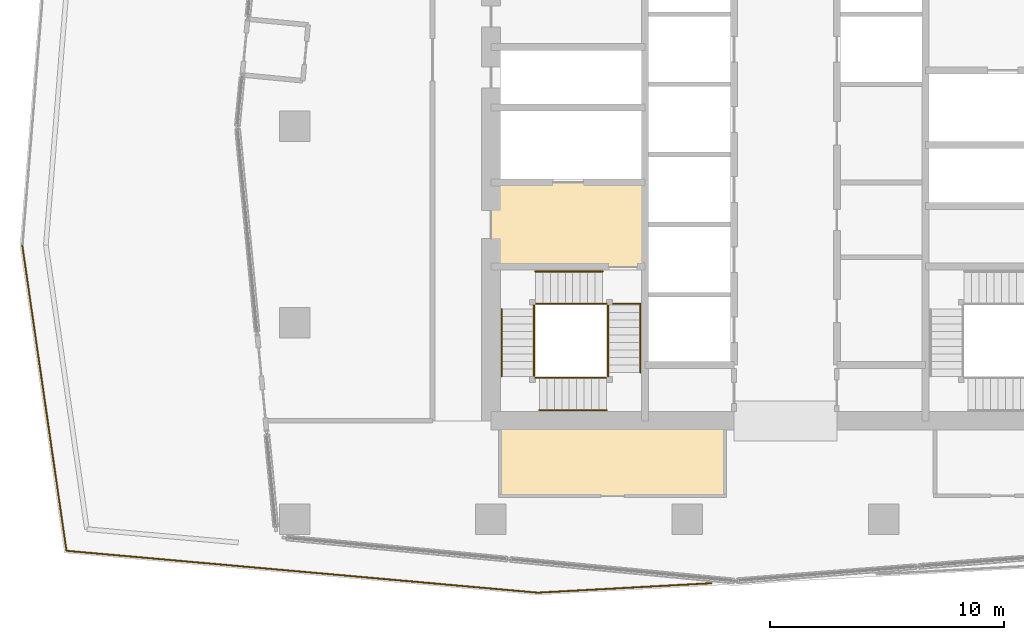
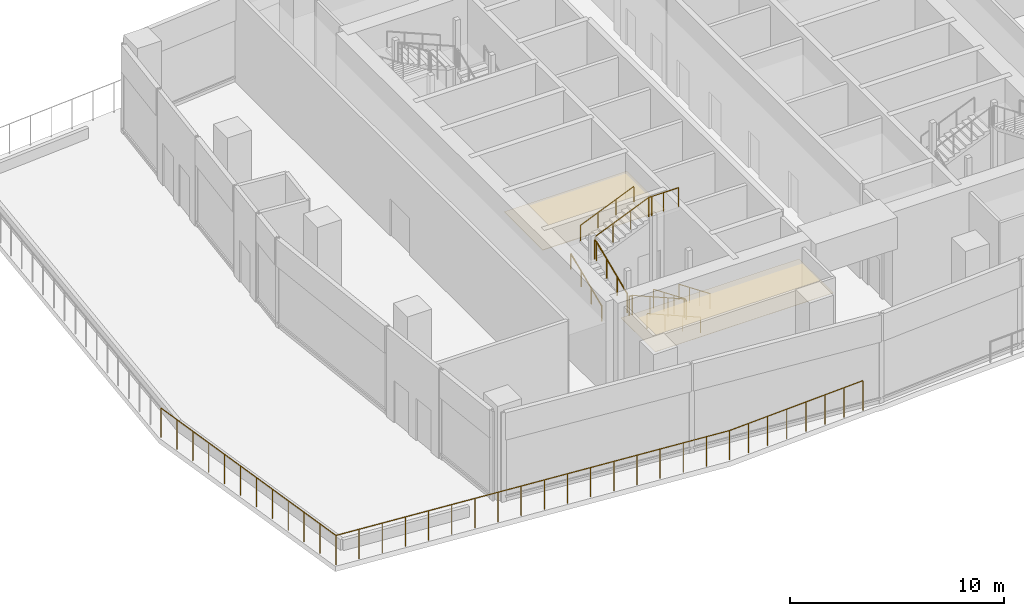
# One storey, part 16 of 22: 16 railings, 2 coverings.
"""IFC4 building model written with IfcOpenShell, lengths in metres."""

from ifc_helpers import new_model, si_unit, direction, frame, origin, origin_2d, place, context, subcontext, project, spatial, polyline, circle, outline, extrude, material, layer, layer_set, type_object, element, save


model = new_model("IFC4")

# Units and contexts
model_context = context("Model", 3, precision=1e-05, world=origin(), true_north=direction((0.0, 1.0)))
body_context = subcontext(model_context, "Body", "Model", "MODEL_VIEW")
ifc_project = project(units=[si_unit("LENGTHUNIT", "METRE"), si_unit("AREAUNIT", "SQUARE_METRE"), si_unit("VOLUMEUNIT", "CUBIC_METRE"), si_unit("PLANEANGLEUNIT", "RADIAN"), si_unit("MASSUNIT", "GRAM", prefix="KILO")], contexts=[model_context])

# Site, building, storey
site_placement = place(None, origin())
site = spatial("IfcSite", under=ifc_project, at=site_placement, CompositionType="ELEMENT")
building_placement = place(site_placement, origin())
building = spatial("IfcBuilding", under=site, at=building_placement, Name="Rekha Terrace Tower", CompositionType="ELEMENT")
storey_placement = place(building_placement, frame((0.0, 0.0, 291.35009765625)))
storey = spatial("IfcBuildingStorey", under=building, at=storey_placement, Name="L74", CompositionType="ELEMENT", Elevation=291.35009765625)

# Coverings
ifc_material_1 = material(Name="Fibre cement board", Category="finish")
ifc_layer_1 = layer(ifc_material_1, 0.014892578125)
ifc_layer_set_1 = layer_set([ifc_layer_1], Name="Fibre cement board")
covering_type_1 = type_object("IfcCoveringType", Name="CL2 moisture-resistant board ceiling", PredefinedType="CEILING", material=ifc_layer_set_1)
covering_1_placement = place(storey_placement, frame((0.0, 0.0, 4.184814453125)))
element("IfcCovering", 1, at=covering_1_placement, inside=storey, type_object=covering_type_1, Name="Ceiling L74-WCM", PredefinedType="CEILING", context=body_context, shape_type="SweptSolid", body=[
    extrude(outline(polyline([(35.199951171875, 21.0), (25.60009765625, 21.0), (25.60009765625, 17.800048828125), (35.199951171875, 17.800048828125), (35.199951171875, 21.0)])), origin(), (0.0, 0.0, 1.0), 0.01513671875),
])
ifc_material_2 = material(Name="Powder-coated aluminium pan", Category="aluminium")
ifc_layer_2 = layer(ifc_material_2, 0.030029296875)
ifc_layer_set_2 = layer_set([ifc_layer_2], Name="Powder-coated aluminium pan")
covering_type_2 = type_object("IfcCoveringType", Name="CL3 300x1200 metal pan ceiling", PredefinedType="CEILING", material=ifc_layer_set_2)
covering_2_placement = place(storey_placement, frame((0.0, 0.0, 4.169921875)))
element("IfcCovering", 2, at=covering_2_placement, inside=storey, type_object=covering_type_2, Name="Ceiling L74-FLB1", PredefinedType="CEILING", context=body_context, shape_type="SweptSolid", body=[
    extrude(outline(polyline([(31.800048828125, 31.199951171875), (25.199951171875, 31.199951171875), (25.199951171875, 27.60009765625), (31.800048828125, 27.60009765625), (31.800048828125, 31.199951171875)])), origin(), (0.0, 0.0, 1.0), 0.030029296875),
])

# Railings
ifc_material_3 = material(Name="Stainless steel balustrade", Category="steel")
railing_type_1 = type_object("IfcRailingType", Name="GR1 1100 stair guard", PredefinedType="GUARDRAIL", material=ifc_material_3)
railing_1_placement = place(storey_placement, frame((30.2099609375, 25.949951171875, 0.135009765625)))
element("IfcRailing", 3, at=railing_1_placement, inside=storey, type_object=railing_type_1, Name="Guard ST1 L74 flight 1", PredefinedType="GUARDRAIL", context=body_context, shape_type="SweptSolid", body=[
    extrude(circle(Radius=0.02392578125, at=origin_2d()), frame((0.0, 0.0, 1.076171875), z_axis=(0.0, -0.921376398962, 0.388671495527), x_axis=(1.0, 0.0, 0.0)), (0.0, 0.0, 1.0), 3.125732421875),
    extrude(circle(Radius=0.02099609375, at=origin_2d()), origin(), (0.0, 0.0, 1.0), 1.052001953125),
    extrude(circle(Radius=0.02099609375, at=origin_2d()), frame((0.0, -0.9599609375, 0.405029296875)), (0.0, 0.0, 1.0), 1.052001953125),
    extrude(circle(Radius=0.02099609375, at=origin_2d()), frame((0.0, -1.919921875, 0.809814453125)), (0.0, 0.0, 1.0), 1.052001953125),
    extrude(circle(Radius=0.02099609375, at=origin_2d()), frame((0.0, -2.8798828125, 1.21484375)), (0.0, 0.0, 1.0), 1.052001953125),
])
railing_2_placement = place(storey_placement, frame((30.14990234375, 22.840087890625, 1.48486328125)))
element("IfcRailing", 4, at=railing_2_placement, inside=storey, type_object=railing_type_1, Name="Guard ST1 L74 flight 2", PredefinedType="GUARDRAIL", context=body_context, shape_type="SweptSolid", body=[
    extrude(circle(Radius=0.02392578125, at=origin_2d()), frame((0.0, 0.0, 1.076171875), z_axis=(-0.921348425517, 0.0, 0.388737802119), x_axis=(0.0, -1.0, 0.0)), (0.0, 0.0, 1.0), 3.125732421875),
    extrude(circle(Radius=0.02099609375, at=origin_2d()), origin(), (0.0, 0.0, 1.0), 1.052001953125),
    extrude(circle(Radius=0.02099609375, at=origin_2d()), frame((-0.9599609375, 0.0, 0.405029296875)), (0.0, 0.0, 1.0), 1.052001953125),
    extrude(circle(Radius=0.02099609375, at=origin_2d()), frame((-1.919921875, 0.0, 0.81005859375)), (0.0, 0.0, 1.0), 1.052001953125),
    extrude(circle(Radius=0.02099609375, at=origin_2d()), frame((-2.8798828125, 0.0, 1.215087890625)), (0.0, 0.0, 1.0), 1.052001953125),
])
railing_3_placement = place(storey_placement, frame((27.0400390625, 22.89990234375, 2.8349609375)))
element("IfcRailing", 5, at=railing_3_placement, inside=storey, type_object=railing_type_1, Name="Guard ST1 L74 flight 3", PredefinedType="GUARDRAIL", context=body_context, shape_type="SweptSolid", body=[
    extrude(circle(Radius=0.02392578125, at=origin_2d()), frame((0.0, 0.0, 1.076171875), z_axis=(0.0, 0.9213881973, 0.388643525453), x_axis=(-1.0, 0.0, 0.0)), (0.0, 0.0, 1.0), 3.1259765625),
    extrude(circle(Radius=0.02099609375, at=origin_2d()), origin(), (0.0, 0.0, 1.0), 1.052001953125),
    extrude(circle(Radius=0.02099609375, at=origin_2d()), frame((0.0, 0.9599609375, 0.405029296875)), (0.0, 0.0, 1.0), 1.052001953125),
    extrude(circle(Radius=0.02099609375, at=origin_2d()), frame((0.0, 1.920166015625, 0.809814453125)), (0.0, 0.0, 1.0), 1.052001953125),
    extrude(circle(Radius=0.02099609375, at=origin_2d()), frame((0.0, 2.880126953125, 1.21484375)), (0.0, 0.0, 1.0), 1.052001953125),
])
railing_4_placement = place(storey_placement, frame((27.10009765625, 26.010009765625, 4.184814453125)))
element("IfcRailing", 6, at=railing_4_placement, inside=storey, type_object=railing_type_1, Name="Guard ST1 L74 flight 4", PredefinedType="GUARDRAIL", context=body_context, shape_type="SweptSolid", body=[
    extrude(circle(Radius=0.02392578125, at=origin_2d()), frame((0.0, 0.0, 1.076171875), z_axis=(0.921348425517, 0.0, 0.388737802119), x_axis=(0.0, 1.0, 0.0)), (0.0, 0.0, 1.0), 3.125732421875),
    extrude(circle(Radius=0.02099609375, at=origin_2d()), origin(), (0.0, 0.0, 1.0), 1.052001953125),
    extrude(circle(Radius=0.02099609375, at=origin_2d()), frame((0.9599609375, 0.0, 0.405029296875)), (0.0, 0.0, 1.0), 1.052001953125),
    extrude(circle(Radius=0.02099609375, at=origin_2d()), frame((1.919921875, 0.0, 0.81005859375)), (0.0, 0.0, 1.0), 1.052001953125),
    extrude(circle(Radius=0.02099609375, at=origin_2d()), frame((2.8798828125, 0.0, 1.215087890625)), (0.0, 0.0, 1.0), 1.052001953125),
])
railing_5_placement = place(storey_placement, frame((30.2099609375, 23.070068359375, 1.349853515625)))
element("IfcRailing", 7, at=railing_5_placement, inside=storey, type_object=railing_type_1, Name="Guard ST1 L74 landing 1", PredefinedType="GUARDRAIL", context=body_context, shape_type="SweptSolid", body=[
    extrude(circle(Radius=0.02392578125, at=origin_2d()), frame((0.0, 0.0, 1.076171875), z_axis=(0.0, -1.0, 0.0), x_axis=(1.0, 0.0, 0.0)), (0.0, 0.0, 1.0), 0.170166015625),
    extrude(circle(Radius=0.02099609375, at=origin_2d()), origin(), (0.0, 0.0, 1.0), 1.052001953125),
    extrude(circle(Radius=0.02099609375, at=origin_2d()), frame((0.0, -0.170166015625, 0.0)), (0.0, 0.0, 1.0), 1.052001953125),
])
railing_6_placement = place(storey_placement, frame((27.27001953125, 22.840087890625, 2.699951171875)))
element("IfcRailing", 8, at=railing_6_placement, inside=storey, type_object=railing_type_1, Name="Guard ST1 L74 landing 2", PredefinedType="GUARDRAIL", context=body_context, shape_type="SweptSolid", body=[
    extrude(circle(Radius=0.02392578125, at=origin_2d()), frame((0.0, 0.0, 1.076171875), z_axis=(-1.0, 0.0, 0.0), x_axis=(0.0, -1.0, 0.0)), (0.0, 0.0, 1.0), 0.169921875),
    extrude(circle(Radius=0.02099609375, at=origin_2d()), origin(), (0.0, 0.0, 1.0), 1.052001953125),
    extrude(circle(Radius=0.02099609375, at=origin_2d()), frame((-0.169921875, 0.0, 0.0)), (0.0, 0.0, 1.0), 1.052001953125),
])
railing_7_placement = place(storey_placement, frame((27.0400390625, 25.949951171875, 4.0498046875)))
element("IfcRailing", 9, at=railing_7_placement, inside=storey, type_object=railing_type_1, Name="Guard ST1 L74 landing 3", PredefinedType="GUARDRAIL", context=body_context, shape_type="SweptSolid", body=[
    extrude(circle(Radius=0.02392578125, at=origin_2d()), frame((0.0, 0.0, 1.076171875), z_axis=(0.0, -1.0, 0.0), x_axis=(1.0, 0.0, 0.0)), (0.0, 0.0, 1.0), 0.169921875),
    extrude(circle(Radius=0.02099609375, at=origin_2d()), origin(), (0.0, 0.0, 1.0), 1.052001953125),
    extrude(circle(Radius=0.02099609375, at=origin_2d()), frame((0.0, -0.169921875, 0.0)), (0.0, 0.0, 1.0), 1.052001953125),
])
railing_8_placement = place(storey_placement, frame((30.14990234375, 26.010009765625, 5.39990234375)))
element("IfcRailing", 10, at=railing_8_placement, inside=storey, type_object=railing_type_1, Name="Guard ST1 L74 landing 4", PredefinedType="GUARDRAIL", context=body_context, shape_type="SweptSolid", body=[
    extrude(circle(Radius=0.02392578125, at=origin_2d()), frame((0.0, 0.0, 1.076171875), z_axis=(-1.0, 0.0, 0.0), x_axis=(0.0, -1.0, 0.0)), (0.0, 0.0, 1.0), 0.169921875),
    extrude(circle(Radius=0.02099609375, at=origin_2d()), origin(), (0.0, 0.0, 1.0), 1.052001953125),
    extrude(circle(Radius=0.02099609375, at=origin_2d()), frame((-0.169921875, 0.0, 0.0)), (0.0, 0.0, 1.0), 1.052001953125),
])
railing_9_placement = place(storey_placement, frame((31.60009765625, 26.010009765625, 5.39990234375)))
element("IfcRailing", 11, at=railing_9_placement, inside=storey, type_object=railing_type_1, Name="Guard ST1 L74 landing 5", PredefinedType="GUARDRAIL", context=body_context, shape_type="SweptSolid", body=[
    extrude(circle(Radius=0.02392578125, at=origin_2d()), frame((0.0, 0.0, 1.076171875), z_axis=(-1.0, 0.0, 0.0), x_axis=(0.0, -1.0, 0.0)), (0.0, 0.0, 1.0), 1.6201171875),
    extrude(circle(Radius=0.02099609375, at=origin_2d()), origin(), (0.0, 0.0, 1.0), 1.052001953125),
    extrude(circle(Radius=0.02099609375, at=origin_2d()), frame((-0.81005859375, 0.0, 0.0)), (0.0, 0.0, 1.0), 1.052001953125),
    extrude(circle(Radius=0.02099609375, at=origin_2d()), frame((-1.6201171875, 0.0, 0.0)), (0.0, 0.0, 1.0), 1.052001953125),
])
ifc_material_4 = material(Name="Stainless steel posts and laminated glass infill", Category="steel")
railing_type_2 = type_object("IfcRailingType", Name="GR4 terrace glass guard 1700", PredefinedType="GUARDRAIL", material=ifc_material_4)
railing_10_placement = place(storey_placement, frame((5.150634765625, 28.4931640625, 0.0)))
element("IfcRailing", 12, at=railing_10_placement, inside=storey, type_object=railing_type_2, Name="Terrace guard", PredefinedType="GUARDRAIL", context=body_context, shape_type="SweptSolid", body=[
    extrude(circle(Radius=0.02392578125, at=origin_2d()), frame((0.0, 0.0, 1.67578125), z_axis=(0.143100814451, -0.989708117024, 0.0), x_axis=(0.989708117024, 0.143100814451, 0.0)), (0.0, 0.0, 1.0), 13.186279296875),
    extrude(circle(Radius=0.02099609375, at=origin_2d()), origin(), (0.0, 0.0, 1.0), 1.65185546875),
    extrude(circle(Radius=0.02099609375, at=origin_2d()), frame((0.171630859375, -1.1865234375, 0.0)), (0.0, 0.0, 1.0), 1.65185546875),
    extrude(circle(Radius=0.02099609375, at=origin_2d()), frame((0.343017578125, -2.372802734375, 0.0)), (0.0, 0.0, 1.0), 1.65185546875),
    extrude(circle(Radius=0.02099609375, at=origin_2d()), frame((0.5146484375, -3.559326171875, 0.0)), (0.0, 0.0, 1.0), 1.65185546875),
    extrude(circle(Radius=0.02099609375, at=origin_2d()), frame((0.686279296875, -4.74560546875, 0.0)), (0.0, 0.0, 1.0), 1.65185546875),
    extrude(circle(Radius=0.02099609375, at=origin_2d()), frame((0.857666015625, -5.93212890625, 0.0)), (0.0, 0.0, 1.0), 1.65185546875),
    extrude(circle(Radius=0.02099609375, at=origin_2d()), frame((1.029296875, -7.118408203125, 0.0)), (0.0, 0.0, 1.0), 1.65185546875),
    extrude(circle(Radius=0.02099609375, at=origin_2d()), frame((1.20068359375, -8.304931640625, 0.0)), (0.0, 0.0, 1.0), 1.65185546875),
    extrude(circle(Radius=0.02099609375, at=origin_2d()), frame((1.372314453125, -9.4912109375, 0.0)), (0.0, 0.0, 1.0), 1.65185546875),
    extrude(circle(Radius=0.02099609375, at=origin_2d()), frame((1.5439453125, -10.677734375, 0.0)), (0.0, 0.0, 1.0), 1.65185546875),
    extrude(circle(Radius=0.02099609375, at=origin_2d()), frame((1.71533203125, -11.864013671875, 0.0)), (0.0, 0.0, 1.0), 1.65185546875),
    extrude(circle(Radius=0.02099609375, at=origin_2d()), frame((1.886962890625, -13.050537109375, 0.0)), (0.0, 0.0, 1.0), 1.65185546875),
])
railing_11_placement = place(storey_placement, frame((7.03759765625, 15.442626953125, 0.0)))
element("IfcRailing", 13, at=railing_11_placement, inside=storey, type_object=railing_type_2, Name="Terrace guard", PredefinedType="GUARDRAIL", context=body_context, shape_type="SweptSolid", body=[
    extrude(circle(Radius=0.02392578125, at=origin_2d()), frame((0.0, 0.0, 1.67578125), z_axis=(0.996073727641, -0.088527561263, 0.0), x_axis=(0.088527561263, 0.996073727641, 0.0)), (0.0, 0.0, 1.0), 20.247802734375),
    extrude(circle(Radius=0.02099609375, at=origin_2d()), origin(), (0.0, 0.0, 1.0), 1.65185546875),
    extrude(circle(Radius=0.02099609375, at=origin_2d()), frame((1.186279296875, -0.10546875, 0.0)), (0.0, 0.0, 1.0), 1.65185546875),
    extrude(circle(Radius=0.02099609375, at=origin_2d()), frame((2.372802734375, -0.2109375, 0.0)), (0.0, 0.0, 1.0), 1.65185546875),
    extrude(circle(Radius=0.02099609375, at=origin_2d()), frame((3.55908203125, -0.31640625, 0.0)), (0.0, 0.0, 1.0), 1.65185546875),
    extrude(circle(Radius=0.02099609375, at=origin_2d()), frame((4.745361328125, -0.421875, 0.0)), (0.0, 0.0, 1.0), 1.65185546875),
    extrude(circle(Radius=0.02099609375, at=origin_2d()), frame((5.931884765625, -0.527099609375, 0.0)), (0.0, 0.0, 1.0), 1.65185546875),
    extrude(circle(Radius=0.02099609375, at=origin_2d()), frame((7.1181640625, -0.632568359375, 0.0)), (0.0, 0.0, 1.0), 1.65185546875),
    extrude(circle(Radius=0.02099609375, at=origin_2d()), frame((8.304443359375, -0.738037109375, 0.0)), (0.0, 0.0, 1.0), 1.65185546875),
    extrude(circle(Radius=0.02099609375, at=origin_2d()), frame((9.490966796875, -0.843505859375, 0.0)), (0.0, 0.0, 1.0), 1.65185546875),
    extrude(circle(Radius=0.02099609375, at=origin_2d()), frame((10.67724609375, -0.948974609375, 0.0)), (0.0, 0.0, 1.0), 1.65185546875),
    extrude(circle(Radius=0.02099609375, at=origin_2d()), frame((11.86376953125, -1.054443359375, 0.0)), (0.0, 0.0, 1.0), 1.65185546875),
    extrude(circle(Radius=0.02099609375, at=origin_2d()), frame((13.050048828125, -1.159912109375, 0.0)), (0.0, 0.0, 1.0), 1.65185546875),
    extrude(circle(Radius=0.02099609375, at=origin_2d()), frame((14.236328125, -1.265380859375, 0.0)), (0.0, 0.0, 1.0), 1.65185546875),
    extrude(circle(Radius=0.02099609375, at=origin_2d()), frame((15.4228515625, -1.37060546875, 0.0)), (0.0, 0.0, 1.0), 1.65185546875),
    extrude(circle(Radius=0.02099609375, at=origin_2d()), frame((16.609130859375, -1.47607421875, 0.0)), (0.0, 0.0, 1.0), 1.65185546875),
    extrude(circle(Radius=0.02099609375, at=origin_2d()), frame((17.79541015625, -1.58154296875, 0.0)), (0.0, 0.0, 1.0), 1.65185546875),
    extrude(circle(Radius=0.02099609375, at=origin_2d()), frame((18.98193359375, -1.68701171875, 0.0)), (0.0, 0.0, 1.0), 1.65185546875),
    extrude(circle(Radius=0.02099609375, at=origin_2d()), frame((20.168212890625, -1.79248046875, 0.0)), (0.0, 0.0, 1.0), 1.65185546875),
])
railing_12_placement = place(storey_placement, frame((27.205810546875, 13.650146484375, 0.0)))
element("IfcRailing", 14, at=railing_12_placement, inside=storey, type_object=railing_type_2, Name="Terrace guard", PredefinedType="GUARDRAIL", context=body_context, shape_type="SweptSolid", body=[
    extrude(circle(Radius=0.02392578125, at=origin_2d()), frame((0.0, 0.0, 1.67578125), z_axis=(0.998518338602, 0.054416242759, 0.0), x_axis=(-0.054416242759, 0.998518338602, 0.0)), (0.0, 0.0, 1.0), 7.4296875),
    extrude(circle(Radius=0.02099609375, at=origin_2d()), origin(), (0.0, 0.0, 1.0), 1.65185546875),
    extrude(circle(Radius=0.02099609375, at=origin_2d()), frame((1.059814453125, 0.057861328125, 0.0)), (0.0, 0.0, 1.0), 1.65185546875),
    extrude(circle(Radius=0.02099609375, at=origin_2d()), frame((2.11962890625, 0.115478515625, 0.0)), (0.0, 0.0, 1.0), 1.65185546875),
    extrude(circle(Radius=0.02099609375, at=origin_2d()), frame((3.179443359375, 0.17333984375, 0.0)), (0.0, 0.0, 1.0), 1.65185546875),
    extrude(circle(Radius=0.02099609375, at=origin_2d()), frame((4.2392578125, 0.23095703125, 0.0)), (0.0, 0.0, 1.0), 1.65185546875),
    extrude(circle(Radius=0.02099609375, at=origin_2d()), frame((5.299072265625, 0.288818359375, 0.0)), (0.0, 0.0, 1.0), 1.65185546875),
    extrude(circle(Radius=0.02099609375, at=origin_2d()), frame((6.35888671875, 0.346435546875, 0.0)), (0.0, 0.0, 1.0), 1.65185546875),
    extrude(circle(Radius=0.02099609375, at=origin_2d()), frame((7.418701171875, 0.404296875, 0.0)), (0.0, 0.0, 1.0), 1.65185546875),
])
ifc_material_5 = material(Name="Stainless steel tube", Category="steel")
railing_type_3 = type_object("IfcRailingType", Name="HR1 900 stair handrail", PredefinedType="HANDRAIL", material=ifc_material_5)
railing_13_placement = place(storey_placement, frame((31.590087890625, 25.949951171875, 0.135009765625)))
element("IfcRailing", 15, at=railing_13_placement, inside=storey, type_object=railing_type_3, Name="Handrail ST1 L74 flight 1", PredefinedType="HANDRAIL", context=body_context, shape_type="SweptSolid", body=[
    extrude(circle(Radius=0.02392578125, at=origin_2d()), frame((0.0, 0.0, 0.8759765625), z_axis=(0.0, -0.921376398962, 0.388671495527), x_axis=(1.0, 0.0, 0.0)), (0.0, 0.0, 1.0), 3.125732421875),
    extrude(circle(Radius=0.02099609375, at=origin_2d()), origin(), (0.0, 0.0, 1.0), 0.851806640625),
    extrude(circle(Radius=0.02099609375, at=origin_2d()), frame((0.0, -0.9599609375, 0.405029296875)), (0.0, 0.0, 1.0), 0.851806640625),
    extrude(circle(Radius=0.02099609375, at=origin_2d()), frame((0.0, -1.919921875, 0.809814453125)), (0.0, 0.0, 1.0), 0.851806640625),
    extrude(circle(Radius=0.02099609375, at=origin_2d()), frame((0.0, -2.8798828125, 1.21484375)), (0.0, 0.0, 1.0), 0.851806640625),
])
railing_14_placement = place(storey_placement, frame((30.14990234375, 21.4599609375, 1.48486328125)))
element("IfcRailing", 16, at=railing_14_placement, inside=storey, type_object=railing_type_3, Name="Handrail ST1 L74 flight 2", PredefinedType="HANDRAIL", context=body_context, shape_type="SweptSolid", body=[
    extrude(circle(Radius=0.02392578125, at=origin_2d()), frame((0.0, 0.0, 0.8759765625), z_axis=(-0.921348425517, 0.0, 0.388737802119), x_axis=(0.0, -1.0, 0.0)), (0.0, 0.0, 1.0), 3.125732421875),
    extrude(circle(Radius=0.02099609375, at=origin_2d()), origin(), (0.0, 0.0, 1.0), 0.851806640625),
    extrude(circle(Radius=0.02099609375, at=origin_2d()), frame((-0.9599609375, 0.0, 0.405029296875)), (0.0, 0.0, 1.0), 0.851806640625),
    extrude(circle(Radius=0.02099609375, at=origin_2d()), frame((-1.919921875, 0.0, 0.81005859375)), (0.0, 0.0, 1.0), 0.851806640625),
    extrude(circle(Radius=0.02099609375, at=origin_2d()), frame((-2.8798828125, 0.0, 1.215087890625)), (0.0, 0.0, 1.0), 0.851806640625),
])
railing_15_placement = place(storey_placement, frame((25.659912109375, 22.89990234375, 2.8349609375)))
element("IfcRailing", 17, at=railing_15_placement, inside=storey, type_object=railing_type_3, Name="Handrail ST1 L74 flight 3", PredefinedType="HANDRAIL", context=body_context, shape_type="SweptSolid", body=[
    extrude(circle(Radius=0.02392578125, at=origin_2d()), frame((0.0, 0.0, 0.8759765625), z_axis=(0.0, 0.9213881973, 0.388643525453), x_axis=(-1.0, 0.0, 0.0)), (0.0, 0.0, 1.0), 3.1259765625),
    extrude(circle(Radius=0.02099609375, at=origin_2d()), origin(), (0.0, 0.0, 1.0), 0.851806640625),
    extrude(circle(Radius=0.02099609375, at=origin_2d()), frame((0.0, 0.9599609375, 0.405029296875)), (0.0, 0.0, 1.0), 0.851806640625),
    extrude(circle(Radius=0.02099609375, at=origin_2d()), frame((0.0, 1.920166015625, 0.809814453125)), (0.0, 0.0, 1.0), 0.851806640625),
    extrude(circle(Radius=0.02099609375, at=origin_2d()), frame((0.0, 2.880126953125, 1.21484375)), (0.0, 0.0, 1.0), 0.851806640625),
])
railing_16_placement = place(storey_placement, frame((27.10009765625, 27.389892578125, 4.184814453125)))
element("IfcRailing", 18, at=railing_16_placement, inside=storey, type_object=railing_type_3, Name="Handrail ST1 L74 flight 4", PredefinedType="HANDRAIL", context=body_context, shape_type="SweptSolid", body=[
    extrude(circle(Radius=0.02392578125, at=origin_2d()), frame((0.0, 0.0, 0.8759765625), z_axis=(0.921348425517, 0.0, 0.388737802119), x_axis=(0.0, 1.0, 0.0)), (0.0, 0.0, 1.0), 3.125732421875),
    extrude(circle(Radius=0.02099609375, at=origin_2d()), origin(), (0.0, 0.0, 1.0), 0.851806640625),
    extrude(circle(Radius=0.02099609375, at=origin_2d()), frame((0.9599609375, 0.0, 0.405029296875)), (0.0, 0.0, 1.0), 0.851806640625),
    extrude(circle(Radius=0.02099609375, at=origin_2d()), frame((1.919921875, 0.0, 0.81005859375)), (0.0, 0.0, 1.0), 0.851806640625),
    extrude(circle(Radius=0.02099609375, at=origin_2d()), frame((2.8798828125, 0.0, 1.215087890625)), (0.0, 0.0, 1.0), 0.851806640625),
])

save(model, "model.ifc")
